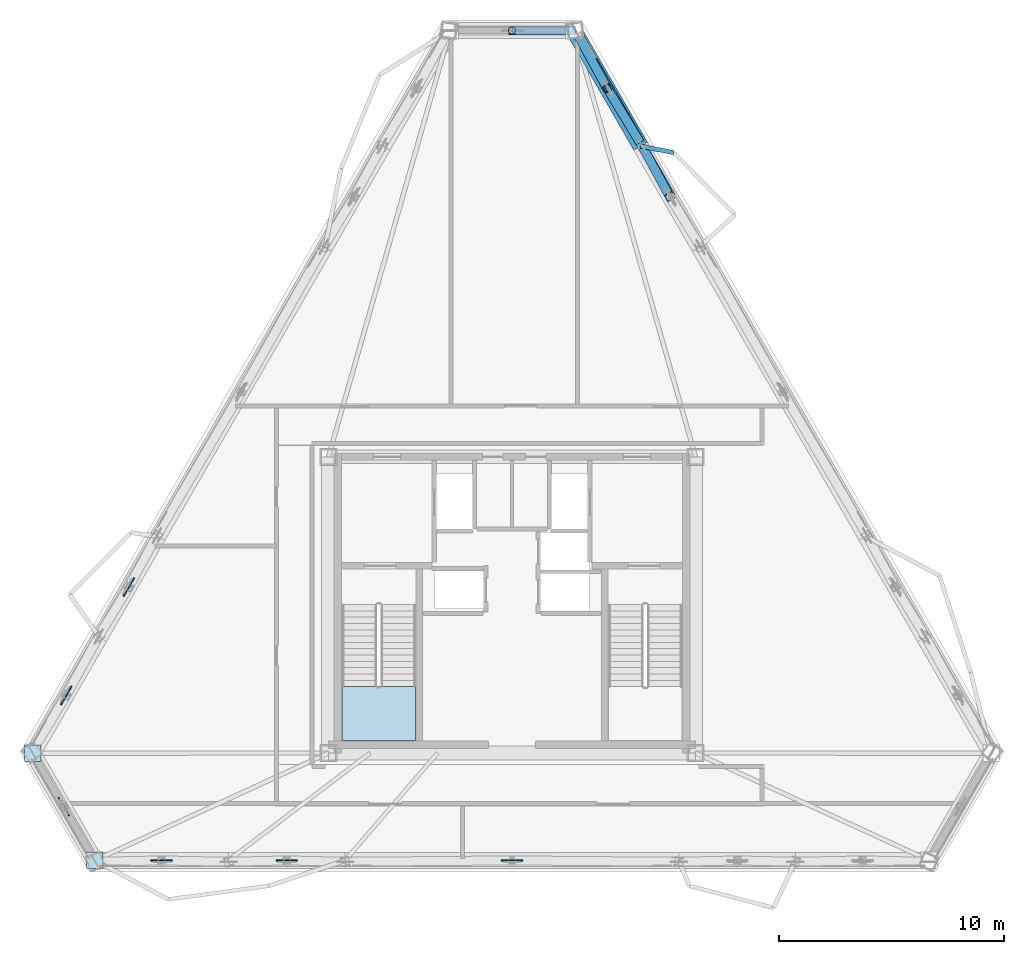
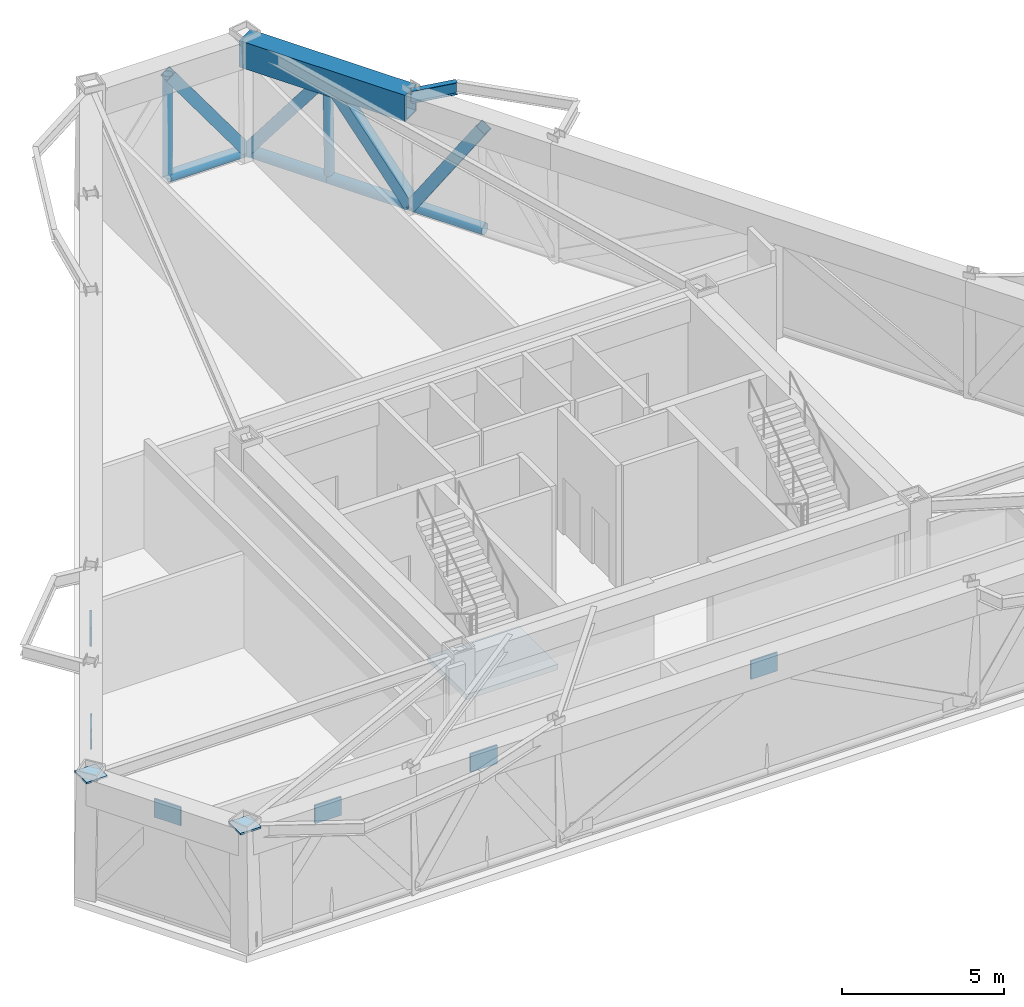
# One storey, part 4 of 10: 10 members, 8 plates, 2 beams, 1 slab, 1 element without a shape of its own.
"""IFC4 building model written with IfcOpenShell, lengths in metres."""

from ifc_helpers import new_model, si_unit, direction, frame, origin, origin_2d, place, context, subcontext, project, spatial, polyline, rectangle, hollow_rectangle, hollow_circle, i_section, outline, extrude, material, layer, layer_set, material_profile, profile_set, type_object, element, aggregate, save


model = new_model("IFC4")

# Units and contexts
model_context = context("Model", 3, precision=1e-05, world=origin(), true_north=direction((0.0, 1.0)))
body_context = subcontext(model_context, "Body", "Model", "MODEL_VIEW")
ifc_project = project(units=[si_unit("LENGTHUNIT", "METRE"), si_unit("AREAUNIT", "SQUARE_METRE"), si_unit("VOLUMEUNIT", "CUBIC_METRE"), si_unit("PLANEANGLEUNIT", "RADIAN"), si_unit("MASSUNIT", "GRAM", prefix="KILO")], contexts=[model_context])

# Site, building, storey
site_placement = place(None, origin())
site = spatial("IfcSite", under=ifc_project, at=site_placement, CompositionType="ELEMENT")
building_placement = place(site_placement, origin())
building = spatial("IfcBuilding", under=site, at=building_placement, Name="Oramaril Tower", CompositionType="ELEMENT")
storey_placement = place(building_placement, frame((0.0, 0.0, 245.10009765625)))
storey = spatial("IfcBuildingStorey", under=building, at=storey_placement, Name="L65", CompositionType="ELEMENT", Elevation=245.10009765625)

# Beams
ifc_material_1 = material(Name="Steel ASTM A572 Gr 50", Category="steel")
ifc_material_profile_1 = material_profile(ifc_material_1, i_section(OverallWidth=0.19091796875, OverallDepth=0.45703125, WebThickness=0.009033203125, FlangeThickness=0.014404296875, at=origin_2d()), Name="W18X50")
ifc_profile_set_1 = profile_set([ifc_material_profile_1], Name="Steel ASTM A572 Gr 50")
beam_type_1 = type_object("IfcBeamType", Name="BT-BB1", PredefinedType="BEAM", material=ifc_profile_set_1)
beam_1_placement = place(storey_placement, frame((43.21240234375, 37.94482421875, 4.351318359375), z_axis=(0.98130771109, -0.192445254959, 0.0), x_axis=(0.192445254959, 0.98130771109, 0.0)))
element("IfcBeam", 1, at=beam_1_placement, inside=storey, type_object=beam_type_1, Name="L65 Balcony Column-Framed Cantilever 04.2", PredefinedType="BEAM", context=body_context, shape_type="SweptSolid", body=[
    extrude(i_section(OverallWidth=0.19091796875, OverallDepth=0.45703125, WebThickness=0.009033203125, FlangeThickness=0.014404296875, at=origin_2d()), origin(), (0.0, 0.0, 1.0), 1.4970703125),
])
ifc_material_2 = material(Name="Steel ASTM A572 Gr 50", Category="steel")
ifc_material_profile_2 = material_profile(ifc_material_2, hollow_rectangle(XDim=0.699951171875, YDim=1.0, WallThickness=0.06494140625, at=origin_2d()), Name="BOX1000X700X65")
ifc_profile_set_2 = profile_set([ifc_material_profile_2], Name="Steel ASTM A572 Gr 50")
beam_type_2 = type_object("IfcBeamType", Name="BT-BT1", PredefinedType="BEAM", material=ifc_profile_set_2)
beam_2_placement = place(storey_placement, frame((43.21240234375, 37.94482421875, 4.079833984375), z_axis=(-0.499979116088, 0.866037460781, 0.0), x_axis=(-0.866037460781, -0.499979116088, 0.0)))
element("IfcBeam", 2, at=beam_2_placement, inside=storey, type_object=beam_type_2, Name="L65 Perimeter Spandrel 12", PredefinedType="BEAM", context=body_context, shape_type="SweptSolid", body=[
    extrude(hollow_rectangle(XDim=0.699951171875, YDim=1.0, WallThickness=0.06494140625, at=origin_2d()), origin(), (0.0, 0.0, 1.0), 5.928466796875),
])

# Members
ifc_material_3 = material(Name="Steel ASTM A572 Gr 50", Category="steel")
ifc_material_profile_3 = material_profile(ifc_material_3, hollow_rectangle(XDim=0.39990234375, YDim=0.39990234375, WallThickness=0.02001953125, at=origin_2d()), Name="HSS400X400X20")
ifc_profile_set_3 = profile_set([ifc_material_profile_3], Name="Steel ASTM A572 Gr 50")
member_type_1 = type_object("IfcMemberType", Name="MT-BD1", PredefinedType="BRACE", material=ifc_profile_set_3)
member_1_placement = place(storey_placement, frame((43.27490234375, 37.961181640625, 0.2099609375), z_axis=(0.265476087289, -0.486636150513, 0.832290636792), x_axis=(0.877866612274, 0.47890522137, 0.0)))
element("IfcMember", 3, at=member_1_placement, inside=storey, type_object=member_type_1, Name="L65 Truss Diagonal 11B", PredefinedType="BRACE", context=body_context, shape_type="SweptSolid", body=[
    extrude(hollow_rectangle(XDim=0.39990234375, YDim=0.39990234375, WallThickness=0.02001953125, at=origin_2d()), origin(), (0.0, 0.0, 1.0), 4.649658203125),
])
member_2_placement = place(storey_placement, frame((43.27490234375, 37.961181640625, 0.2099609375), z_axis=(-0.316173847756, 0.522109113539, 0.792108686706), x_axis=(-0.855383621102, -0.51799503931, 0.0)))
element("IfcMember", 4, at=member_2_placement, inside=storey, type_object=member_type_1, Name="L65 Truss Diagonal 12A", PredefinedType="BRACE", context=body_context, shape_type="SweptSolid", body=[
    extrude(hollow_rectangle(XDim=0.39990234375, YDim=0.39990234375, WallThickness=0.02001953125, at=origin_2d()), origin(), (0.0, 0.0, 1.0), 4.885498046875),
])
member_3_placement = place(storey_placement, frame((40.314697265625, 43.08837890625, 0.2099609375), z_axis=(0.291273382712, -0.530149708135, 0.796304654946), x_axis=(0.876431497073, 0.481526563066, 0.0)))
element("IfcMember", 5, at=member_3_placement, inside=storey, type_object=member_type_1, Name="L65 Truss Diagonal 12B", PredefinedType="BRACE", context=body_context, shape_type="SweptSolid", body=[
    extrude(hollow_rectangle(XDim=0.39990234375, YDim=0.39990234375, WallThickness=0.02001953125, at=origin_2d()), origin(), (0.0, 0.0, 1.0), 4.85986328125),
])
member_4_placement = place(storey_placement, frame((40.314697265625, 43.08837890625, 0.2099609375), z_axis=(-0.588203961306, -0.001938741481, 0.808710294967), x_axis=(0.003296018179, -0.999994568117, 0.0)))
element("IfcMember", 6, at=member_4_placement, inside=storey, type_object=member_type_1, Name="L65 Truss Diagonal 13A", PredefinedType="BRACE", context=body_context, shape_type="SweptSolid", body=[
    extrude(hollow_rectangle(XDim=0.39990234375, YDim=0.39990234375, WallThickness=0.02001953125, at=origin_2d()), origin(), (0.0, 0.0, 1.0), 4.78515625),
])
ifc_material_4 = material(Name="Steel ASTM A572 Gr 50", Category="steel")
ifc_material_profile_4 = material_profile(ifc_material_4, hollow_circle(Radius=0.202880859375, WallThickness=0.01611328125, at=origin_2d()), Name="CHS406X16")
ifc_profile_set_4 = profile_set([ifc_material_profile_4], Name="Steel ASTM A572 Gr 50")
member_type_2 = type_object("IfcMemberType", Name="MT-CH1", PredefinedType="CHORD", material=ifc_profile_set_4)
member_5_placement = place(storey_placement, frame((44.570068359375, 35.718017578125, 0.2099609375), z_axis=(-0.500021611996, 0.866012925733, 0.0), x_axis=(-0.866012925733, -0.500021611996, 0.0)))
element("IfcMember", 7, at=member_5_placement, inside=storey, type_object=member_type_2, Name="L65 Belt Truss Chord 11B", PredefinedType="CHORD", context=body_context, shape_type="SweptSolid", body=[
    extrude(hollow_circle(Radius=0.202880859375, WallThickness=0.01611328125, at=origin_2d()), origin(), (0.0, 0.0, 1.0), 2.59033203125),
])
member_6_placement = place(storey_placement, frame((43.27490234375, 37.961181640625, 0.2099609375), z_axis=(-0.499988999718, 0.866031754707, 0.0), x_axis=(-0.866031754707, -0.499988999718, 0.0)))
element("IfcMember", 8, at=member_6_placement, inside=storey, type_object=member_type_2, Name="L65 Belt Truss Chord 12A", PredefinedType="CHORD", context=body_context, shape_type="SweptSolid", body=[
    extrude(hollow_circle(Radius=0.202880859375, WallThickness=0.01611328125, at=origin_2d()), origin(), (0.0, 0.0, 1.0), 2.9599609375),
])
member_7_placement = place(storey_placement, frame((41.794921875, 40.524658203125, 0.2099609375), z_axis=(-0.500015142839, 0.866016660886, 0.0), x_axis=(-0.866016660886, -0.500015142839, 0.0)))
element("IfcMember", 9, at=member_7_placement, inside=storey, type_object=member_type_2, Name="L65 Belt Truss Chord 12B", PredefinedType="CHORD", context=body_context, shape_type="SweptSolid", body=[
    extrude(hollow_circle(Radius=0.202880859375, WallThickness=0.01611328125, at=origin_2d()), origin(), (0.0, 0.0, 1.0), 2.96044921875),
])
member_8_placement = place(storey_placement, frame((40.314697265625, 43.08837890625, 0.2099609375), z_axis=(-1.0, 0.0, 0.0), x_axis=(0.0, -1.0, 0.0)))
element("IfcMember", 10, at=member_8_placement, inside=storey, type_object=member_type_2, Name="L65 Belt Truss Chord 13A", PredefinedType="CHORD", context=body_context, shape_type="SweptSolid", body=[
    extrude(hollow_circle(Radius=0.202880859375, WallThickness=0.01611328125, at=origin_2d()), origin(), (0.0, 0.0, 1.0), 2.814697265625),
])
ifc_material_5 = material(Name="Steel ASTM A572 Gr 50", Category="steel")
ifc_material_profile_5 = material_profile(ifc_material_5, hollow_circle(Radius=0.162109375, WallThickness=0.011962890625, at=origin_2d()), Name="CHS324X12")
ifc_profile_set_5 = profile_set([ifc_material_profile_5], Name="Steel ASTM A572 Gr 50")
member_type_3 = type_object("IfcMemberType", Name="MT-ST1", PredefinedType="STRUT", material=ifc_profile_set_5)
member_9_placement = place(storey_placement, frame((41.794921875, 40.524658203125, 0.2099609375), z_axis=(-0.016715762346, -0.003280074121, 0.999854901675), x_axis=(0.192554296849, -0.981286320482, 0.0)))
element("IfcMember", 11, at=member_9_placement, inside=storey, type_object=member_type_3, Name="L65 Belt Truss Strut 12", PredefinedType="STRUT", context=body_context, shape_type="SweptSolid", body=[
    extrude(hollow_circle(Radius=0.162109375, WallThickness=0.011962890625, at=origin_2d()), origin(), (0.0, 0.0, 1.0), 3.870361328125),
])
member_10_placement = place(storey_placement, frame((37.5, 43.08837890625, 0.2099609375), z_axis=(0.0, -0.002397318201, 0.999997126429), x_axis=(1.0, 0.0, 0.0)))
element("IfcMember", 12, at=member_10_placement, inside=storey, type_object=member_type_3, Name="L65 Belt Truss Strut 13", PredefinedType="STRUT", context=body_context, shape_type="SweptSolid", body=[
    extrude(hollow_circle(Radius=0.162109375, WallThickness=0.011962890625, at=origin_2d()), origin(), (0.0, 0.0, 1.0), 3.869873046875),
])

# Plates
ifc_material_6 = material(Name="Steel ASTM A572 Gr 50", Category="steel")
ifc_layer_1 = layer(ifc_material_6, 0.06494140625)
ifc_layer_set_1 = layer_set([ifc_layer_1], Name="PLT-C65")
plate_type_1 = type_object("IfcPlateType", Name="PLT-C65", PredefinedType="USERDEFINED", material=ifc_layer_set_1)
for number, where, z_axis, x_axis, name in (
    (13, (16.2255859375, 10.990478515625, 4.514892578125), (0.0, 0.0, 1.0), (1.0, 0.0, 0.0), "L65 Column Cap Plate CP-01"),
    (14, (18.973876953125, 6.23046875, 4.514892578125), (0.0, 0.0, 1.0), (1.0, 0.0, 0.0), "L65 Column Cap Plate CP-02"),
):
    element("IfcPlate", number, at=place(storey_placement, frame(where, z_axis=z_axis, x_axis=x_axis)), inside=storey, type_object=plate_type_1, Name=name, ObjectType="CAP", PredefinedType="USERDEFINED", context=body_context, shape_type="SweptSolid", body=[
        extrude(rectangle(XDim=0.739990234375, YDim=0.739990234375, at=origin_2d()), origin(), (0.0, 0.0, 1.0), 0.06494140625),
    ])
ifc_material_7 = material(Name="Steel ASTM A572 Gr 50", Category="steel")
ifc_layer_2 = layer(ifc_material_7, 0.06005859375)
ifc_layer_set_2 = layer_set([ifc_layer_2], Name="PLT-G60")
plate_type_2 = type_object("IfcPlateType", Name="PLT-G60", PredefinedType="USERDEFINED", material=ifc_layer_set_2)
for number, where, z_axis, x_axis, name in (
    (15, (17.599609375, 8.610595703125, 3.72998046875), (0.0, 0.0, 1.0), (0.499992442484, -0.866029767075, 0.0), "L65 Truss Top Gusset Node KN-65A"),
    (16, (21.93798828125, 6.23046875, 3.72998046875), (0.0, 0.0, 1.0), (1.0, 0.0, 0.0), "L65 Truss Top Gusset Node KN-65A"),
    (17, (27.495849609375, 6.23046875, 3.72998046875), (0.0, 0.0, 1.0), (1.0, 0.0, 0.0), "L65 Truss Top Gusset Node KN-65A"),
    (18, (37.5, 6.23046875, 3.72998046875), (0.0, 0.0, 1.0), (1.0, 0.0, 0.0), "L65 Truss Top Gusset Node KN-65A"),
    (19, (20.48681640625, 18.370849609375, 3.72998046875), (0.0, 0.0, 1.0), (-0.4999984885, -0.866026276448, 0.0), "L65 Truss Top Gusset Node KN-65C"),
    (20, (17.707763671875, 13.5576171875, 3.72998046875), (0.0, 0.0, 1.0), (-0.500001511499, -0.866024531118, 0.0), "L65 Truss Top Gusset Node KN-65C"),
):
    element("IfcPlate", number, at=place(storey_placement, frame(where, z_axis=z_axis, x_axis=x_axis)), inside=storey, type_object=plate_type_2, Name=name, ObjectType="GUSSET", PredefinedType="USERDEFINED", context=body_context, shape_type="SweptSolid", body=[
        extrude(rectangle(XDim=0.949951171875, YDim=0.06005859375, at=origin_2d()), origin(), (0.0, 0.0, 1.0), 0.699951171875),
    ])

# Stair, slab
ifc_material_8 = material(Name="Concrete C50/60", Category="concrete")
stair_type = type_object("IfcStairType", Name="STT-DG-4800", PredefinedType="HALF_TURN_STAIR", material=ifc_material_8)
stair_placement = place(storey_placement, origin())
stair = element("IfcStair", 21, at=stair_placement, inside=storey, type_object=stair_type, Name="L65 Protected PFP Exit Stair ST-1", PredefinedType="HALF_TURN_STAIR")
ifc_material_9 = material(Name="Concrete C50/60", Category="concrete")
ifc_layer_3 = layer(ifc_material_9, 0.199951171875)
ifc_layer_set_3 = layer_set([ifc_layer_3], Name="SLT-LND20")
slab_type = type_object("IfcSlabType", Name="SLT-LND20", PredefinedType="LANDING", material=ifc_layer_set_3)
slab_placement = place(storey_placement, frame((0.0, 0.0, 2.199951171875)))
slab = element("IfcSlab", 22, at=slab_placement, type_object=slab_type, Name="ST-1 landing 1", PredefinedType="LANDING", context=body_context, shape_type="SweptSolid", body=[
    extrude(outline(polyline([(29.949951171875, 13.949951171875), (29.949951171875, 11.550048828125), (33.219970703125, 11.550048828125), (33.219970703125, 13.949951171875), (29.949951171875, 13.949951171875)])), origin(), (0.0, 0.0, 1.0), 0.199951171875),
])
aggregate(stair, [slab])

save(model, "model.ifc")
